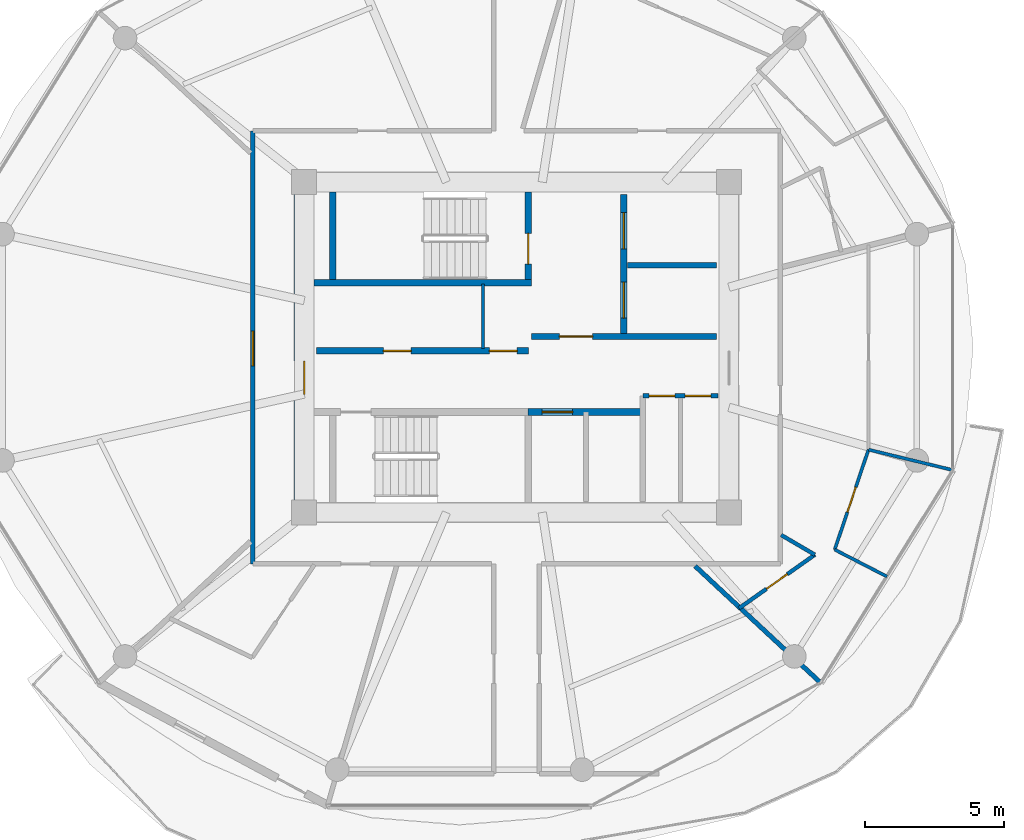
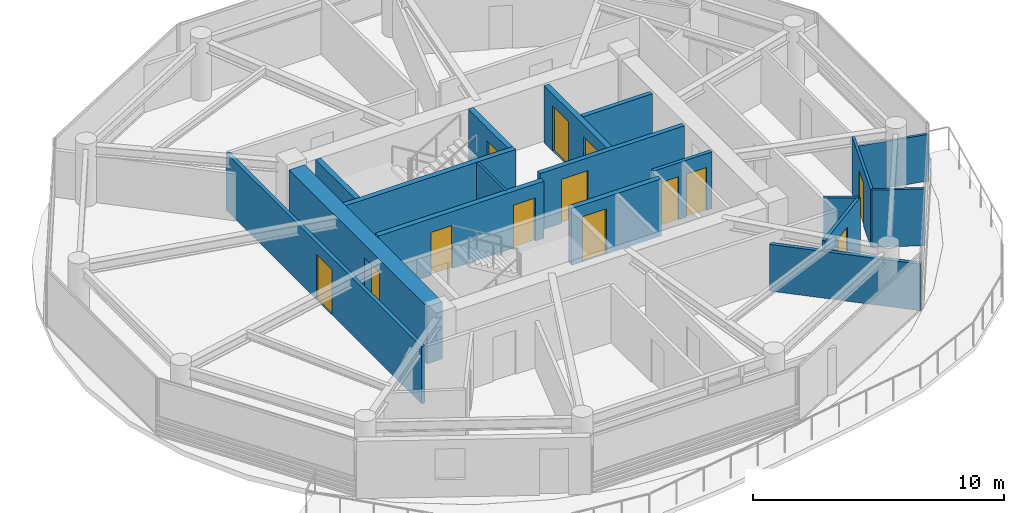
# One storey, part 16 of 22: 18 walls, 13 doors, 13 openings.
"""IFC4 building model written with IfcOpenShell, lengths in metres."""

from ifc_helpers import new_model, si_unit, direction, frame, frame_2d, origin, place, context, subcontext, project, spatial, rectangle, extrude, source, transform, mapped, material, layer, layer_set, type_object, type_shapes, element, fill, save


model = new_model("IFC4")

# Units and contexts
model_context = context("Model", 3, precision=1e-05, world=origin(), true_north=direction((0.0, 1.0)))
body_context = subcontext(model_context, "Body", "Model", "MODEL_VIEW")
ifc_project = project(units=[si_unit("LENGTHUNIT", "METRE"), si_unit("AREAUNIT", "SQUARE_METRE"), si_unit("VOLUMEUNIT", "CUBIC_METRE"), si_unit("PLANEANGLEUNIT", "RADIAN"), si_unit("MASSUNIT", "GRAM", prefix="KILO")], contexts=[model_context])

# Site, building, storey
site_placement = place(None, origin())
site = spatial("IfcSite", under=ifc_project, at=site_placement, CompositionType="ELEMENT")
building_placement = place(site_placement, origin())
building = spatial("IfcBuilding", under=site, at=building_placement, Name="Norrkilde Senior Care Towers", CompositionType="ELEMENT")
storey_placement = place(building_placement, frame((0.0, 0.0, 87.10009765625)))
storey = spatial("IfcBuildingStorey", under=building, at=storey_placement, Name="L26", CompositionType="ELEMENT", Elevation=87.10009765625)

# Wall, opening, door
ifc_material_1 = material(Name="Concrete C60/75", Category="concrete")
ifc_layer_1 = layer(ifc_material_1, 0.719970703125)
ifc_layer_set_1 = layer_set([ifc_layer_1], Name="Concrete C60/75")
wall_type_1 = type_object("IfcWallType", Name="Core Shear Wall Z2 720", PredefinedType="SHEAR", material=ifc_layer_set_1)
shared_shape_1 = source(origin(), body_context, "Body", "SweptSolid", [
    extrude(rectangle(XDim=11.0, YDim=0.719970703125, at=frame_2d((5.5, 0.0))), origin(), (0.0, 0.0, 1.0), 2.789794921875),
])
type_shapes(wall_type_1, [shared_shape_1])
wall_1_placement = place(storey_placement, frame((20.35009765625, -5.5, 0.0), z_axis=(0.0, 0.0, 1.0), x_axis=(0.0, 1.0, 0.0)))
wall_1 = element("IfcWall", 1, at=wall_1_placement, inside=storey, type_object=wall_type_1, Name="L26 Core E West Shear Wall", PredefinedType="SHEAR", context=body_context, shape_type="MappedRepresentation", body=[
    mapped(shared_shape_1, transform((0.0, 0.0, 0.0), x_axis=(1.0, 0.0, 0.0), y_axis=(0.0, 1.0, 0.0), z_axis=(0.0, 0.0, 1.0), scale=1.0)),
])
opening_1_placement = place(wall_1_placement, frame((3.800048828125, 0.0, 0.0)))
opening_1 = element("IfcOpeningElement", 2, at=opening_1_placement, cuts=wall_1, Name="Opening D-04", PredefinedType="OPENING", context=body_context, shape_type="SweptSolid", body=[
    extrude(rectangle(XDim=1.199951171875, YDim=2.14990234375, at=frame_2d((0.60009765625, 1.074951171875))), frame((0.0, 0.369873046875, 0.0), z_axis=(0.0, -1.0, 0.0), x_axis=(1.0, 0.0, 0.0)), (0.0, 0.0, 1.0), 0.739990234375),
])
ifc_material_2 = material(Name="Galvanised Painted Steel", Category="steel")
door_type_1 = type_object("IfcDoorType", Name="Firefighting Lobby Fire Door 1200x2150", OperationType="NOTDEFINED", PredefinedType="DOOR", material=ifc_material_2)
shared_shape_2 = source(origin(), body_context, "Body", "SweptSolid", [
    extrude(rectangle(XDim=1.199951171875, YDim=2.14990234375, at=frame_2d((0.60009765625, 1.074951171875))), frame((0.0, 0.02490234375, 0.0), z_axis=(0.0, -1.0, 0.0), x_axis=(1.0, 0.0, 0.0)), (0.0, 0.0, 1.0), 0.050048828125),
])
type_shapes(door_type_1, [shared_shape_2])
door_1_placement = place(opening_1_placement, frame((1.199951171875, 0.0, 0.0), z_axis=(0.0, 0.0, 1.0), x_axis=(-1.0, 0.0, 0.0)))
door_1 = element("IfcDoor", 3, at=door_1_placement, inside=storey, type_object=door_type_1, Name="L26 Core E West Portal Door", OperationType="SINGLE_SWING_LEFT", OverallHeight=2.14990234375, OverallWidth=1.199951171875, PredefinedType="DOOR", context=body_context, shape_type="MappedRepresentation", body=[
    mapped(shared_shape_2, transform((0.0, 0.0, 0.0), x_axis=(1.0, 0.0, 0.0), y_axis=(0.0, 1.0, 0.0), z_axis=(0.0, 0.0, 1.0), scale=1.0)),
])
fill(opening_1, door_1)

# Wall, openings, doors
ifc_material_3 = material(Name="Concrete C45/55", Category="concrete")
ifc_layer_2 = layer(ifc_material_3, 0.239990234375)
ifc_layer_set_2 = layer_set([ifc_layer_2], Name="Concrete C45/55")
wall_type_2 = type_object("IfcWallType", Name="Lift and Plant Rated Enclosure Partition 240", PredefinedType="PARTITIONING", material=ifc_layer_set_2)
shared_shape_3 = source(origin(), body_context, "Body", "SweptSolid", [
    extrude(rectangle(XDim=5.0, YDim=0.239990234375, at=frame_2d((2.5, 0.0))), origin(), (0.0, 0.0, 1.0), 2.77490234375),
])
wall_2_placement = place(storey_placement, frame((31.860107421875, 0.5, 0.0), z_axis=(0.0, 0.0, 1.0), x_axis=(0.0, 1.0, 0.0)))
wall_2 = element("IfcWall", 4, at=wall_2_placement, inside=storey, type_object=wall_type_2, Name="WL-INT-L26-E-FFLE", PredefinedType="PARTITIONING", context=body_context, shape_type="MappedRepresentation", body=[
    mapped(shared_shape_3, transform((0.0, 0.0, 0.0), x_axis=(1.0, 0.0, 0.0), y_axis=(0.0, 1.0, 0.0), z_axis=(0.0, 0.0, 1.0), scale=1.0)),
])
opening_2_placement = place(wall_2_placement, frame((3.050048828125, 0.0, 0.0)))
opening_2 = element("IfcOpeningElement", 5, at=opening_2_placement, cuts=wall_2, Name="Opening LD-02", PredefinedType="OPENING", context=body_context, shape_type="SweptSolid", body=[
    extrude(rectangle(XDim=1.300048828125, YDim=2.199951171875, at=frame_2d((0.64990234375, 1.10009765625))), frame((0.0, 0.1298828125, 0.0), z_axis=(0.0, -1.0, 0.0), x_axis=(1.0, 0.0, 0.0)), (0.0, 0.0, 1.0), 0.260009765625),
])
opening_3_placement = place(wall_2_placement, frame((0.550048828125, 0.0, 0.0)))
opening_3 = element("IfcOpeningElement", 6, at=opening_3_placement, cuts=wall_2, Name="Opening LD-02", PredefinedType="OPENING", context=body_context, shape_type="SweptSolid", body=[
    extrude(rectangle(XDim=1.300048828125, YDim=2.199951171875, at=frame_2d((0.64990234375, 1.10009765625))), frame((0.0, 0.1298828125, 0.0), z_axis=(0.0, -1.0, 0.0), x_axis=(1.0, 0.0, 0.0)), (0.0, 0.0, 1.0), 0.260009765625),
])
ifc_material_4 = material(Name="Stainless Steel", Category="steel")
door_type_2 = type_object("IfcDoorType", Name="Stretcher and FFL Landing Sliding Door 1300x2200", OperationType="NOTDEFINED", PredefinedType="DOOR", material=ifc_material_4)
shared_shape_4 = source(origin(), body_context, "Body", "SweptSolid", [
    extrude(rectangle(XDim=1.300048828125, YDim=2.199951171875, at=frame_2d((0.64990234375, 1.10009765625))), frame((0.0, 0.02490234375, 0.0), z_axis=(0.0, -1.0, 0.0), x_axis=(1.0, 0.0, 0.0)), (0.0, 0.0, 1.0), 0.050048828125),
])
type_shapes(door_type_2, [shared_shape_4])
door_2_placement = place(opening_2_placement, origin())
door_2 = element("IfcDoor", 7, at=door_2_placement, inside=storey, type_object=door_type_2, Name="L26 Firefighting Lift E1 Landing Door", OperationType="SLIDING_TO_LEFT", OverallHeight=2.199951171875, OverallWidth=1.300048828125, PredefinedType="DOOR", context=body_context, shape_type="MappedRepresentation", body=[
    mapped(shared_shape_4, transform((0.0, 0.0, 0.0), x_axis=(1.0, 0.0, 0.0), y_axis=(0.0, 1.0, 0.0), z_axis=(0.0, 0.0, 1.0), scale=1.0)),
])
fill(opening_2, door_2)
door_3_placement = place(opening_3_placement, origin())
door_3 = element("IfcDoor", 8, at=door_3_placement, inside=storey, type_object=door_type_2, Name="L26 Stretcher Lift E1 Landing Door", OperationType="SLIDING_TO_RIGHT", OverallHeight=2.199951171875, OverallWidth=1.300048828125, PredefinedType="DOOR", context=body_context, shape_type="MappedRepresentation", body=[
    mapped(shared_shape_4, transform((0.0, 0.0, 0.0), x_axis=(1.0, 0.0, 0.0), y_axis=(0.0, 1.0, 0.0), z_axis=(0.0, 0.0, 1.0), scale=1.0)),
])
fill(opening_3, door_3)

# Wall
ifc_layer_3 = layer(ifc_material_3, 0.199951171875)
ifc_layer_set_3 = layer_set([ifc_layer_3], Name="Concrete C45/55")
wall_type_3 = type_object("IfcWallType", Name="Shaft Division and Plant Partition 200", PredefinedType="PARTITIONING", material=ifc_layer_set_3)
shared_shape_5 = source(origin(), body_context, "Body", "SweptSolid", [
    extrude(rectangle(XDim=3.199951171875, YDim=0.199951171875, at=frame_2d((1.60009765625, 0.0))), origin(), (0.0, 0.0, 1.0), 2.77490234375),
])
type_shapes(wall_type_3, [shared_shape_5])
wall_3_placement = place(storey_placement, frame((32.0, 2.949951171875, 0.0), z_axis=(0.0, 0.0, 1.0), x_axis=(1.0, 0.0, 0.0)))
element("IfcWall", 9, at=wall_3_placement, inside=storey, type_object=wall_type_3, Name="WL-INT-L26-E-FFLDIV", PredefinedType="PARTITIONING", context=body_context, shape_type="MappedRepresentation", body=[
    mapped(shared_shape_5, transform((0.0, 0.0, 0.0), x_axis=(1.0, 0.0, 0.0), y_axis=(0.0, 1.0, 0.0), z_axis=(0.0, 0.0, 1.0), scale=1.0)),
])

# Wall, opening, door
ifc_layer_4 = layer(ifc_material_3, 0.2099609375)
ifc_layer_set_4 = layer_set([ifc_layer_4], Name="Concrete C45/55")
wall_type_4 = type_object("IfcWallType", Name="Firefighting Lobby Wall 210", PredefinedType="PARTITIONING", material=ifc_layer_set_4)
shared_shape_6 = source(origin(), body_context, "Body", "SweptSolid", [
    extrude(rectangle(XDim=6.659912109375, YDim=0.2099609375, at=frame_2d((3.330078125, 0.0))), origin(), (0.0, 0.0, 1.0), 2.77490234375),
])
type_shapes(wall_type_4, [shared_shape_6])
wall_4_placement = place(storey_placement, frame((28.5400390625, 0.389892578125, 0.0), z_axis=(0.0, 0.0, 1.0), x_axis=(1.0, 0.0, 0.0)))
wall_4 = element("IfcWall", 10, at=wall_4_placement, inside=storey, type_object=wall_type_4, Name="WL-INT-L26-E-FFLS", PredefinedType="PARTITIONING", context=body_context, shape_type="MappedRepresentation", body=[
    mapped(shared_shape_6, transform((0.0, 0.0, 0.0), x_axis=(1.0, 0.0, 0.0), y_axis=(0.0, 1.0, 0.0), z_axis=(0.0, 0.0, 1.0), scale=1.0)),
])
opening_4_placement = place(wall_4_placement, frame((1.0, 0.0, 0.0)))
opening_4 = element("IfcOpeningElement", 11, at=opening_4_placement, cuts=wall_4, Name="Opening D-04", PredefinedType="OPENING", context=body_context, shape_type="SweptSolid", body=[
    extrude(rectangle(XDim=1.199951171875, YDim=2.14990234375, at=frame_2d((0.60009765625, 1.074951171875))), frame((0.0, 0.114990234375, 0.0), z_axis=(0.0, -1.0, 0.0), x_axis=(1.0, 0.0, 0.0)), (0.0, 0.0, 1.0), 0.22998046875),
])
door_4_placement = place(opening_4_placement, frame((1.199951171875, 0.0, 0.0), z_axis=(0.0, 0.0, 1.0), x_axis=(-1.0, 0.0, 0.0)))
door_4 = element("IfcDoor", 12, at=door_4_placement, inside=storey, type_object=door_type_1, Name="L26 Firefighting Lobby E Door", OperationType="SINGLE_SWING_LEFT", OverallHeight=2.14990234375, OverallWidth=1.199951171875, PredefinedType="DOOR", context=body_context, shape_type="MappedRepresentation", body=[
    mapped(shared_shape_2, transform((0.0, 0.0, 0.0), x_axis=(1.0, 0.0, 0.0), y_axis=(0.0, 1.0, 0.0), z_axis=(0.0, 0.0, 1.0), scale=1.0)),
])
fill(opening_4, door_4)

# Wall, openings, doors
shared_shape_7 = source(origin(), body_context, "Body", "SweptSolid", [
    extrude(rectangle(XDim=7.619873046875, YDim=0.239990234375, at=frame_2d((3.81005859375, 0.0))), origin(), (0.0, 0.0, 1.0), 2.77490234375),
])
wall_5_placement = place(storey_placement, frame((20.800048828125, -0.1298828125, 0.0), z_axis=(0.0, 0.0, 1.0), x_axis=(1.0, 0.0, 0.0)))
wall_5 = element("IfcWall", 13, at=wall_5_placement, inside=storey, type_object=wall_type_2, Name="WL-INT-L26-E-PKAS", PredefinedType="PARTITIONING", context=body_context, shape_type="MappedRepresentation", body=[
    mapped(shared_shape_7, transform((0.0, 0.0, 0.0), x_axis=(1.0, 0.0, 0.0), y_axis=(0.0, 1.0, 0.0), z_axis=(0.0, 0.0, 1.0), scale=1.0)),
])
opening_5_placement = place(wall_5_placement, frame((6.219970703125, 0.0, 0.0)))
opening_5 = element("IfcOpeningElement", 14, at=opening_5_placement, cuts=wall_5, Name="Opening D-10", PredefinedType="OPENING", context=body_context, shape_type="SweptSolid", body=[
    extrude(rectangle(XDim=1.0, YDim=2.10009765625, at=frame_2d((0.5, 1.050048828125))), frame((0.0, 0.1298828125, 0.0), z_axis=(0.0, -1.0, 0.0), x_axis=(1.0, 0.0, 0.0)), (0.0, 0.0, 1.0), 0.260009765625),
])
opening_6_placement = place(wall_5_placement, frame((2.39990234375, 0.0, 0.0)))
opening_6 = element("IfcOpeningElement", 15, at=opening_6_placement, cuts=wall_5, Name="Opening D-10", PredefinedType="OPENING", context=body_context, shape_type="SweptSolid", body=[
    extrude(rectangle(XDim=1.0, YDim=2.10009765625, at=frame_2d((0.5, 1.050048828125))), frame((0.0, 0.1298828125, 0.0), z_axis=(0.0, -1.0, 0.0), x_axis=(1.0, 0.0, 0.0)), (0.0, 0.0, 1.0), 0.260009765625),
])
door_type_3 = type_object("IfcDoorType", Name="Plant and Riser Rated Door 1000x2100", OperationType="NOTDEFINED", PredefinedType="DOOR", material=ifc_material_2)
shared_shape_8 = source(origin(), body_context, "Body", "SweptSolid", [
    extrude(rectangle(XDim=1.0, YDim=2.10009765625, at=frame_2d((0.5, 1.050048828125))), frame((0.0, 0.02490234375, 0.0), z_axis=(0.0, -1.0, 0.0), x_axis=(1.0, 0.0, 0.0)), (0.0, 0.0, 1.0), 0.050048828125),
])
type_shapes(door_type_3, [shared_shape_8])
door_5_placement = place(opening_5_placement, frame((1.0, 0.0, 0.0), z_axis=(0.0, 0.0, 1.0), x_axis=(-1.0, 0.0, 0.0)))
door_5 = element("IfcDoor", 16, at=door_5_placement, inside=storey, type_object=door_type_3, Name="L26 Electrical Riser E Door", OperationType="SINGLE_SWING_LEFT", OverallHeight=2.10009765625, OverallWidth=1.0, PredefinedType="DOOR", context=body_context, shape_type="MappedRepresentation", body=[
    mapped(shared_shape_8, transform((0.0, 0.0, 0.0), x_axis=(1.0, 0.0, 0.0), y_axis=(0.0, 1.0, 0.0), z_axis=(0.0, 0.0, 1.0), scale=1.0)),
])
fill(opening_5, door_5)
door_6_placement = place(opening_6_placement, frame((1.0, 0.0, 0.0), z_axis=(0.0, 0.0, 1.0), x_axis=(-1.0, 0.0, 0.0)))
door_6 = element("IfcDoor", 17, at=door_6_placement, inside=storey, type_object=door_type_3, Name="L26 Clean Supply Store E Door", OperationType="SINGLE_SWING_LEFT", OverallHeight=2.10009765625, OverallWidth=1.0, PredefinedType="DOOR", context=body_context, shape_type="MappedRepresentation", body=[
    mapped(shared_shape_8, transform((0.0, 0.0, 0.0), x_axis=(1.0, 0.0, 0.0), y_axis=(0.0, 1.0, 0.0), z_axis=(0.0, 0.0, 1.0), scale=1.0)),
])
fill(opening_6, door_6)

# Wall
ifc_material_5 = material(Name="Gypsum Acoustic Board")
ifc_layer_5 = layer(ifc_material_5, 0.114990234375)
ifc_layer_set_5 = layer_set([ifc_layer_5], Name="Gypsum Acoustic Board")
wall_type_5 = type_object("IfcWallType", Name="Internal Room Partition 115", PredefinedType="PARTITIONING", material=ifc_layer_set_5)
shared_shape_9 = source(origin(), body_context, "Body", "SweptSolid", [
    extrude(rectangle(XDim=2.330078125, YDim=0.114990234375, at=frame_2d((1.1650390625, 0.0))), origin(), (0.0, 0.0, 1.0), 2.77490234375),
])
wall_6_placement = place(storey_placement, frame((26.7900390625, -0.050048828125, 0.0), z_axis=(0.0, 0.0, 1.0), x_axis=(0.0, 1.0, 0.0)))
element("IfcWall", 18, at=wall_6_placement, inside=storey, type_object=wall_type_5, Name="WL-INT-L26-E-RISW", PredefinedType="PARTITIONING", context=body_context, shape_type="MappedRepresentation", body=[
    mapped(shared_shape_9, transform((0.0, 0.0, 0.0), x_axis=(1.0, 0.0, 0.0), y_axis=(0.0, 1.0, 0.0), z_axis=(0.0, 0.0, 1.0), scale=1.0)),
])

# Wall, opening, door
shared_shape_10 = source(origin(), body_context, "Body", "SweptSolid", [
    extrude(rectangle(XDim=4.130126953125, YDim=0.239990234375, at=frame_2d((2.06494140625, 0.0))), origin(), (0.0, 0.0, 1.0), 2.77490234375),
])
type_shapes(wall_type_2, [shared_shape_3, shared_shape_7, shared_shape_10])
wall_7_placement = place(storey_placement, frame((28.419921875, -2.330078125, 0.0), z_axis=(0.0, 0.0, 1.0), x_axis=(1.0, 0.0, 0.0)))
wall_7 = element("IfcWall", 19, at=wall_7_placement, inside=storey, type_object=wall_type_2, Name="WL-INT-L26-E-PKBN", PredefinedType="PARTITIONING", context=body_context, shape_type="MappedRepresentation", body=[
    mapped(shared_shape_10, transform((0.0, 0.0, 0.0), x_axis=(1.0, 0.0, 0.0), y_axis=(0.0, 1.0, 0.0), z_axis=(0.0, 0.0, 1.0), scale=1.0)),
])
opening_7_placement = place(wall_7_placement, frame((0.5, 0.0, 0.0)))
opening_7 = element("IfcOpeningElement", 20, at=opening_7_placement, cuts=wall_7, Name="Opening LD-01", PredefinedType="OPENING", context=body_context, shape_type="SweptSolid", body=[
    extrude(rectangle(XDim=1.10009765625, YDim=2.199951171875, at=frame_2d((0.550048828125, 1.10009765625))), frame((0.0, 0.1298828125, 0.0), z_axis=(0.0, -1.0, 0.0), x_axis=(1.0, 0.0, 0.0)), (0.0, 0.0, 1.0), 0.260009765625),
])
door_type_4 = type_object("IfcDoorType", Name="Lift Landing Sliding Door 1100x2200", OperationType="NOTDEFINED", PredefinedType="DOOR", material=ifc_material_4)
shared_shape_11 = source(origin(), body_context, "Body", "SweptSolid", [
    extrude(rectangle(XDim=1.10009765625, YDim=2.199951171875, at=frame_2d((0.550048828125, 1.10009765625))), frame((0.0, 0.02490234375, 0.0), z_axis=(0.0, -1.0, 0.0), x_axis=(1.0, 0.0, 0.0)), (0.0, 0.0, 1.0), 0.050048828125),
])
type_shapes(door_type_4, [shared_shape_11])
door_7_placement = place(opening_7_placement, frame((1.10009765625, 0.0, 0.0), z_axis=(0.0, 0.0, 1.0), x_axis=(-1.0, 0.0, 0.0)))
door_7 = element("IfcDoor", 21, at=door_7_placement, inside=storey, type_object=door_type_4, Name="L26 Passenger Lift E3 Landing Door", OperationType="SLIDING_TO_LEFT", OverallHeight=2.199951171875, OverallWidth=1.10009765625, PredefinedType="DOOR", context=body_context, shape_type="MappedRepresentation", body=[
    mapped(shared_shape_11, transform((0.0, 0.0, 0.0), x_axis=(1.0, 0.0, 0.0), y_axis=(0.0, 1.0, 0.0), z_axis=(0.0, 0.0, 1.0), scale=1.0)),
])
fill(opening_7, door_7)

# Wall, openings, doors
ifc_layer_6 = layer(ifc_material_5, 0.1650390625)
ifc_layer_set_6 = layer_set([ifc_layer_6], Name="Gypsum Acoustic Board")
wall_type_6 = type_object("IfcWallType", Name="Corridor Rated Partition 165", PredefinedType="PARTITIONING", material=ifc_layer_set_6)
shared_shape_12 = source(origin(), body_context, "Body", "SweptSolid", [
    extrude(rectangle(XDim=2.699951171875, YDim=0.1650390625, at=frame_2d((1.35009765625, 0.0))), origin(), (0.0, 0.0, 1.0), 2.77490234375),
])
wall_8_placement = place(storey_placement, frame((32.550048828125, -1.75, 0.0), z_axis=(0.0, 0.0, 1.0), x_axis=(1.0, 0.0, 0.0)))
wall_8 = element("IfcWall", 22, at=wall_8_placement, inside=storey, type_object=wall_type_6, Name="WL-INT-L26-E-CSN", PredefinedType="PARTITIONING", context=body_context, shape_type="MappedRepresentation", body=[
    mapped(shared_shape_12, transform((0.0, 0.0, 0.0), x_axis=(1.0, 0.0, 0.0), y_axis=(0.0, 1.0, 0.0), z_axis=(0.0, 0.0, 1.0), scale=1.0)),
])
opening_8_placement = place(wall_8_placement, frame((0.222412109375, 0.0, 0.0)))
opening_8 = element("IfcOpeningElement", 23, at=opening_8_placement, cuts=wall_8, Name="Opening D-12", PredefinedType="OPENING", context=body_context, shape_type="SweptSolid", body=[
    extrude(rectangle(XDim=0.925048828125, YDim=2.10009765625, at=frame_2d((0.46240234375, 1.050048828125))), frame((0.0, 0.092529296875, 0.0), z_axis=(0.0, -1.0, 0.0), x_axis=(1.0, 0.0, 0.0)), (0.0, 0.0, 1.0), 0.18505859375),
])
opening_9_placement = place(wall_8_placement, frame((1.5224609375, 0.0, 0.0)))
opening_9 = element("IfcOpeningElement", 24, at=opening_9_placement, cuts=wall_8, Name="Opening D-12", PredefinedType="OPENING", context=body_context, shape_type="SweptSolid", body=[
    extrude(rectangle(XDim=0.925048828125, YDim=2.10009765625, at=frame_2d((0.46240234375, 1.050048828125))), frame((0.0, 0.092529296875, 0.0), z_axis=(0.0, -1.0, 0.0), x_axis=(1.0, 0.0, 0.0)), (0.0, 0.0, 1.0), 0.18505859375),
])
door_type_5 = type_object("IfcDoorType", Name="Core Wet Room Rated Door 925x2100", OperationType="NOTDEFINED", PredefinedType="DOOR", material=ifc_material_2)
shared_shape_13 = source(origin(), body_context, "Body", "SweptSolid", [
    extrude(rectangle(XDim=0.925048828125, YDim=2.10009765625, at=frame_2d((0.46240234375, 1.050048828125))), frame((0.0, 0.02490234375, 0.0), z_axis=(0.0, -1.0, 0.0), x_axis=(1.0, 0.0, 0.0)), (0.0, 0.0, 1.0), 0.050048828125),
])
type_shapes(door_type_5, [shared_shape_13])
door_8_placement = place(opening_8_placement, origin())
door_8 = element("IfcDoor", 25, at=door_8_placement, inside=storey, type_object=door_type_5, Name="L26 Staff Accessible WC E Door", OperationType="SINGLE_SWING_LEFT", OverallHeight=2.10009765625, OverallWidth=0.925048828125, PredefinedType="DOOR", context=body_context, shape_type="MappedRepresentation", body=[
    mapped(shared_shape_13, transform((0.0, 0.0, 0.0), x_axis=(1.0, 0.0, 0.0), y_axis=(0.0, 1.0, 0.0), z_axis=(0.0, 0.0, 1.0), scale=1.0)),
])
fill(opening_8, door_8)
door_9_placement = place(opening_9_placement, origin())
door_9 = element("IfcDoor", 26, at=door_9_placement, inside=storey, type_object=door_type_5, Name="L26 Housekeeping Store E Door", OperationType="SINGLE_SWING_RIGHT", OverallHeight=2.10009765625, OverallWidth=0.925048828125, PredefinedType="DOOR", context=body_context, shape_type="MappedRepresentation", body=[
    mapped(shared_shape_13, transform((0.0, 0.0, 0.0), x_axis=(1.0, 0.0, 0.0), y_axis=(0.0, 1.0, 0.0), z_axis=(0.0, 0.0, 1.0), scale=1.0)),
])
fill(opening_9, door_9)

# Wall, opening, door
shared_shape_14 = source(origin(), body_context, "Body", "SweptSolid", [
    extrude(rectangle(XDim=15.60009765625, YDim=0.1650390625, at=frame_2d((7.800048828125, 0.0))), origin(), (0.0, 0.0, 1.0), 2.77490234375),
])
wall_9_placement = place(storey_placement, frame((18.5, -7.800048828125, 0.0), z_axis=(0.0, 0.0, 1.0), x_axis=(0.0, 1.0, 0.0)))
wall_9 = element("IfcWall", 27, at=wall_9_placement, inside=storey, type_object=wall_type_6, Name="WL-INT-L26-E-CRW-W-0", PredefinedType="PARTITIONING", context=body_context, shape_type="MappedRepresentation", body=[
    mapped(shared_shape_14, transform((0.0, 0.0, 0.0), x_axis=(1.0, 0.0, 0.0), y_axis=(0.0, 1.0, 0.0), z_axis=(0.0, 0.0, 1.0), scale=1.0)),
])
opening_10_placement = place(wall_9_placement, frame((7.1337890625, 0.0, 0.0)))
opening_10 = element("IfcOpeningElement", 28, at=opening_10_placement, cuts=wall_9, Name="Opening D-05", PredefinedType="OPENING", context=body_context, shape_type="SweptSolid", body=[
    extrude(rectangle(XDim=1.25, YDim=2.199951171875, at=frame_2d((0.625, 1.10009765625))), frame((0.0, 0.092529296875, 0.0), z_axis=(0.0, -1.0, 0.0), x_axis=(1.0, 0.0, 0.0)), (0.0, 0.0, 1.0), 0.18505859375),
])
ifc_material_6 = material(Name="Nordic Ash Timber", Category="wood")
door_type_6 = type_object("IfcDoorType", Name="Care Bedroom Bariatric Door 1250x2200", OperationType="NOTDEFINED", PredefinedType="DOOR", material=ifc_material_6)
shared_shape_15 = source(origin(), body_context, "Body", "SweptSolid", [
    extrude(rectangle(XDim=1.25, YDim=2.199951171875, at=frame_2d((0.625, 1.10009765625))), frame((0.0, 0.02490234375, 0.0), z_axis=(0.0, -1.0, 0.0), x_axis=(1.0, 0.0, 0.0)), (0.0, 0.0, 1.0), 0.050048828125),
])
type_shapes(door_type_6, [shared_shape_15])
door_10_placement = place(opening_10_placement, frame((1.25, 0.0, 0.0), z_axis=(0.0, 0.0, 1.0), x_axis=(-1.0, 0.0, 0.0)))
door_10 = element("IfcDoor", 29, at=door_10_placement, inside=storey, type_object=door_type_6, Name="L26 Senior Wellness Library Lounge Door", OperationType="SINGLE_SWING_LEFT", OverallHeight=2.199951171875, OverallWidth=1.25, PredefinedType="DOOR", context=body_context, shape_type="MappedRepresentation", body=[
    mapped(shared_shape_15, transform((0.0, 0.0, 0.0), x_axis=(1.0, 0.0, 0.0), y_axis=(0.0, 1.0, 0.0), z_axis=(0.0, 0.0, 1.0), scale=1.0)),
])
fill(opening_10, door_10)

# Walls
shared_shape_16 = source(origin(), body_context, "Body", "SweptSolid", [
    extrude(rectangle(XDim=6.186767578125, YDim=0.1650390625, at=frame_2d((3.09326171875, 0.0))), origin(), (0.0, 0.0, 1.0), 2.27490234375),
])
type_shapes(wall_type_6, [shared_shape_12, shared_shape_14, shared_shape_16])
wall_10_placement = place(storey_placement, frame((34.428955078125, -7.8798828125, 0.0), z_axis=(0.0, 0.0, 1.0), x_axis=(0.732501077882, -0.680765870841, 0.0)))
element("IfcWall", 30, at=wall_10_placement, inside=storey, type_object=wall_type_6, Name="WL-INT-L26-E-DEM-10-0", PredefinedType="PARTITIONING", context=body_context, shape_type="MappedRepresentation", body=[
    mapped(shared_shape_16, transform((0.0, 0.0, 0.0), x_axis=(1.0, 0.0, 0.0), y_axis=(0.0, 1.0, 0.0), z_axis=(0.0, 0.0, 1.0), scale=1.0)),
])
ifc_layer_7 = layer(ifc_material_5, 0.139892578125)
ifc_layer_set_7 = layer_set([ifc_layer_7], Name="Gypsum Acoustic Board")
wall_type_7 = type_object("IfcWallType", Name="En-suite Wet Room Wall 140", PredefinedType="PARTITIONING", material=ifc_layer_set_7)
shared_shape_17 = source(origin(), body_context, "Body", "SweptSolid", [
    extrude(rectangle(XDim=1.407470703125, YDim=0.139892578125, at=frame_2d((0.70361328125, 0.0))), origin(), (0.0, 0.0, 1.0), 2.77490234375),
])
wall_11_placement = place(storey_placement, frame((37.530029296875, -6.761962890625, 0.0), z_axis=(0.0, 0.0, 1.0), x_axis=(0.863539718977, -0.504280828258, 0.0)))
element("IfcWall", 31, at=wall_11_placement, inside=storey, type_object=wall_type_7, Name="WL-INT-L26-E-UBTS-10", PredefinedType="PARTITIONING", context=body_context, shape_type="MappedRepresentation", body=[
    mapped(shared_shape_17, transform((0.0, 0.0, 0.0), x_axis=(1.0, 0.0, 0.0), y_axis=(0.0, 1.0, 0.0), z_axis=(0.0, 0.0, 1.0), scale=1.0)),
])

# Wall, opening, door
shared_shape_18 = source(origin(), body_context, "Body", "SweptSolid", [
    extrude(rectangle(XDim=3.346923828125, YDim=0.139892578125, at=frame_2d((1.67333984375, 0.0))), origin(), (0.0, 0.0, 1.0), 2.77490234375),
])
type_shapes(wall_type_7, [shared_shape_17, shared_shape_18])
wall_12_placement = place(storey_placement, frame((38.745361328125, -7.4716796875, 0.0), z_axis=(0.0, 0.0, 1.0), x_axis=(-0.81705680263, -0.576557179537, 0.0)))
wall_12 = element("IfcWall", 32, at=wall_12_placement, inside=storey, type_object=wall_type_7, Name="WL-INT-L26-E-UBTF-10", PredefinedType="PARTITIONING", context=body_context, shape_type="MappedRepresentation", body=[
    mapped(shared_shape_18, transform((0.0, 0.0, 0.0), x_axis=(1.0, 0.0, 0.0), y_axis=(0.0, 1.0, 0.0), z_axis=(0.0, 0.0, 1.0), scale=1.0)),
])
opening_11_placement = place(wall_12_placement, frame((1.213623046875, 0.0, 0.0)))
opening_11 = element("IfcOpeningElement", 33, at=opening_11_placement, cuts=wall_12, Name="Opening D-08", PredefinedType="OPENING", context=body_context, shape_type="SweptSolid", body=[
    extrude(rectangle(XDim=0.919921875, YDim=2.10009765625, at=frame_2d((0.4599609375, 1.050048828125))), frame((0.0, 0.079833984375, 0.0), z_axis=(0.0, -1.0, 0.0), x_axis=(1.0, 0.0, 0.0)), (0.0, 0.0, 1.0), 0.159912109375),
])
door_type_7 = type_object("IfcDoorType", Name="Accessible Wet Room Door 920x2100", OperationType="NOTDEFINED", PredefinedType="DOOR", material=ifc_material_6)
shared_shape_19 = source(origin(), body_context, "Body", "SweptSolid", [
    extrude(rectangle(XDim=0.919921875, YDim=2.10009765625, at=frame_2d((0.4599609375, 1.050048828125))), frame((0.0, 0.02490234375, 0.0), z_axis=(0.0, -1.0, 0.0), x_axis=(1.0, 0.0, 0.0)), (0.0, 0.0, 1.0), 0.050048828125),
])
type_shapes(door_type_7, [shared_shape_19])
door_11_placement = place(opening_11_placement, origin())
door_11 = element("IfcDoor", 34, at=door_11_placement, inside=storey, type_object=door_type_7, Name="Apartment 26C Bathroom Door", OperationType="SINGLE_SWING_RIGHT", OverallHeight=2.10009765625, OverallWidth=0.919921875, PredefinedType="DOOR", context=body_context, shape_type="MappedRepresentation", body=[
    mapped(shared_shape_19, transform((0.0, 0.0, 0.0), x_axis=(1.0, 0.0, 0.0), y_axis=(0.0, 1.0, 0.0), z_axis=(0.0, 0.0, 1.0), scale=1.0)),
])
fill(opening_11, door_11)

# Walls
shared_shape_20 = source(origin(), body_context, "Body", "SweptSolid", [
    extrude(rectangle(XDim=3.13330078125, YDim=0.114990234375, at=frame_2d((1.566650390625, 0.0))), origin(), (0.0, 0.0, 1.0), 2.27490234375),
])
wall_13_placement = place(storey_placement, frame((40.677978515625, -3.687744140625, 0.0), z_axis=(0.0, 0.0, 1.0), x_axis=(0.971863619682, -0.235544273414, 0.0)))
element("IfcWall", 35, at=wall_13_placement, inside=storey, type_object=wall_type_5, Name="WL-INT-L26-E-UBR-10-1", PredefinedType="PARTITIONING", context=body_context, shape_type="MappedRepresentation", body=[
    mapped(shared_shape_20, transform((0.0, 0.0, 0.0), x_axis=(1.0, 0.0, 0.0), y_axis=(0.0, 1.0, 0.0), z_axis=(0.0, 0.0, 1.0), scale=1.0)),
])
shared_shape_21 = source(origin(), body_context, "Body", "SweptSolid", [
    extrude(rectangle(XDim=2.1171875, YDim=0.114990234375, at=frame_2d((1.05859375, 0.0))), origin(), (0.0, 0.0, 1.0), 2.77490234375),
])
wall_14_placement = place(storey_placement, frame((39.459716796875, -7.288818359375, 0.0), z_axis=(0.0, 0.0, 1.0), x_axis=(0.888941834945, -0.45802010227, 0.0)))
element("IfcWall", 36, at=wall_14_placement, inside=storey, type_object=wall_type_5, Name="WL-INT-L26-E-UKTS-10", PredefinedType="PARTITIONING", context=body_context, shape_type="MappedRepresentation", body=[
    mapped(shared_shape_21, transform((0.0, 0.0, 0.0), x_axis=(1.0, 0.0, 0.0), y_axis=(0.0, 1.0, 0.0), z_axis=(0.0, 0.0, 1.0), scale=1.0)),
])

# Wall, opening, door
shared_shape_22 = source(origin(), body_context, "Body", "SweptSolid", [
    extrude(rectangle(XDim=3.80126953125, YDim=0.114990234375, at=frame_2d((1.900634765625, 0.0))), origin(), (0.0, 0.0, 1.0), 2.77490234375),
])
type_shapes(wall_type_5, [shared_shape_9, shared_shape_20, shared_shape_21, shared_shape_22])
wall_15_placement = place(storey_placement, frame((39.459716796875, -7.288818359375, 0.0), z_axis=(0.0, 0.0, 1.0), x_axis=(0.320097904666, 0.947384468644, 0.0)))
wall_15 = element("IfcWall", 37, at=wall_15_placement, inside=storey, type_object=wall_type_5, Name="WL-INT-L26-E-UKTF-10", PredefinedType="PARTITIONING", context=body_context, shape_type="MappedRepresentation", body=[
    mapped(shared_shape_22, transform((0.0, 0.0, 0.0), x_axis=(1.0, 0.0, 0.0), y_axis=(0.0, 1.0, 0.0), z_axis=(0.0, 0.0, 1.0), scale=1.0)),
])
opening_12_placement = place(wall_15_placement, frame((1.42578125, 0.0, 0.0)))
opening_12 = element("IfcOpeningElement", 38, at=opening_12_placement, cuts=wall_15, Name="Opening D-07", PredefinedType="OPENING", context=body_context, shape_type="SweptSolid", body=[
    extrude(rectangle(XDim=0.949951171875, YDim=2.10009765625, at=frame_2d((0.47509765625, 1.050048828125))), frame((0.0, 0.0673828125, 0.0), z_axis=(0.0, -1.0, 0.0), x_axis=(1.0, 0.0, 0.0)), (0.0, 0.0, 1.0), 0.135009765625),
])
door_type_8 = type_object("IfcDoorType", Name="Internal Suite Bedroom Door 950x2100", OperationType="NOTDEFINED", PredefinedType="DOOR", material=ifc_material_6)
shared_shape_23 = source(origin(), body_context, "Body", "SweptSolid", [
    extrude(rectangle(XDim=0.949951171875, YDim=2.10009765625, at=frame_2d((0.47509765625, 1.050048828125))), frame((0.0, 0.02490234375, 0.0), z_axis=(0.0, -1.0, 0.0), x_axis=(1.0, 0.0, 0.0)), (0.0, 0.0, 1.0), 0.050048828125),
])
type_shapes(door_type_8, [shared_shape_23])
door_12_placement = place(opening_12_placement, frame((0.949951171875, 0.0, 0.0), z_axis=(0.0, 0.0, 1.0), x_axis=(-1.0, 0.0, 0.0)))
door_12 = element("IfcDoor", 39, at=door_12_placement, inside=storey, type_object=door_type_8, Name="Apartment 26C Kitchen Door", OperationType="SINGLE_SWING_LEFT", OverallHeight=2.10009765625, OverallWidth=0.949951171875, PredefinedType="DOOR", context=body_context, shape_type="MappedRepresentation", body=[
    mapped(shared_shape_23, transform((0.0, 0.0, 0.0), x_axis=(1.0, 0.0, 0.0), y_axis=(0.0, 1.0, 0.0), z_axis=(0.0, 0.0, 1.0), scale=1.0)),
])
fill(opening_12, door_12)

# Walls
ifc_layer_8 = layer(ifc_material_3, 0.239990234375)
ifc_layer_set_8 = layer_set([ifc_layer_8], Name="Concrete C45/55")
wall_type_8 = type_object("IfcWallType", Name="Shaft and Stair Enclosure Wall 240", PredefinedType="PARTITIONING", material=ifc_layer_set_8)
shared_shape_24 = source(origin(), body_context, "Body", "SweptSolid", [
    extrude(rectangle(XDim=7.830078125, YDim=0.239990234375, at=frame_2d((3.9150390625, 0.0))), origin(), (0.0, 0.0, 1.0), 2.789794921875),
])
wall_16_placement = place(storey_placement, frame((20.7099609375, 2.330078125, 0.0), z_axis=(0.0, 0.0, 1.0), x_axis=(1.0, 0.0, 0.0)))
element("IfcWall", 40, at=wall_16_placement, inside=storey, type_object=wall_type_8, Name="WL-INT-L26-E-ST1S", PredefinedType="PARTITIONING", context=body_context, shape_type="MappedRepresentation", body=[
    mapped(shared_shape_24, transform((0.0, 0.0, 0.0), x_axis=(1.0, 0.0, 0.0), y_axis=(0.0, 1.0, 0.0), z_axis=(0.0, 0.0, 1.0), scale=1.0)),
])
shared_shape_25 = source(origin(), body_context, "Body", "SweptSolid", [
    extrude(rectangle(XDim=3.14013671875, YDim=0.239990234375, at=frame_2d((1.570068359375, 0.0))), origin(), (0.0, 0.0, 1.0), 2.789794921875),
])
type_shapes(wall_type_8, [shared_shape_24, shared_shape_25])
wall_17_placement = place(storey_placement, frame((21.3798828125, 2.449951171875, 0.0), z_axis=(0.0, 0.0, 1.0), x_axis=(0.0, 1.0, 0.0)))
element("IfcWall", 41, at=wall_17_placement, inside=storey, type_object=wall_type_8, Name="WL-INT-L26-E-ST1W", PredefinedType="PARTITIONING", context=body_context, shape_type="MappedRepresentation", body=[
    mapped(shared_shape_25, transform((0.0, 0.0, 0.0), x_axis=(1.0, 0.0, 0.0), y_axis=(0.0, 1.0, 0.0), z_axis=(0.0, 0.0, 1.0), scale=1.0)),
])

# Wall, opening, door
wall_18_placement = place(storey_placement, frame((28.419921875, 2.449951171875, 0.0), z_axis=(0.0, 0.0, 1.0), x_axis=(0.0, 1.0, 0.0)))
wall_18 = element("IfcWall", 42, at=wall_18_placement, inside=storey, type_object=wall_type_8, Name="WL-INT-L26-E-ST1E", PredefinedType="PARTITIONING", context=body_context, shape_type="MappedRepresentation", body=[
    mapped(shared_shape_25, transform((0.0, 0.0, 0.0), x_axis=(1.0, 0.0, 0.0), y_axis=(0.0, 1.0, 0.0), z_axis=(0.0, 0.0, 1.0), scale=1.0)),
])
opening_13_placement = place(wall_18_placement, frame((0.550048828125, 0.0, 0.0)))
opening_13 = element("IfcOpeningElement", 43, at=opening_13_placement, cuts=wall_18, Name="Opening D-03", PredefinedType="OPENING", context=body_context, shape_type="SweptSolid", body=[
    extrude(rectangle(XDim=1.10009765625, YDim=2.14990234375, at=frame_2d((0.550048828125, 1.074951171875))), frame((0.0, 0.1298828125, 0.0), z_axis=(0.0, -1.0, 0.0), x_axis=(1.0, 0.0, 0.0)), (0.0, 0.0, 1.0), 0.260009765625),
])
door_type_9 = type_object("IfcDoorType", Name="Stairwell Protected Fire Door 1100x2150", OperationType="NOTDEFINED", PredefinedType="DOOR", material=ifc_material_2)
shared_shape_26 = source(origin(), body_context, "Body", "SweptSolid", [
    extrude(rectangle(XDim=1.10009765625, YDim=2.14990234375, at=frame_2d((0.550048828125, 1.074951171875))), frame((0.0, 0.02490234375, 0.0), z_axis=(0.0, -1.0, 0.0), x_axis=(1.0, 0.0, 0.0)), (0.0, 0.0, 1.0), 0.050048828125),
])
type_shapes(door_type_9, [shared_shape_26])
door_13_placement = place(opening_13_placement, origin())
door_13 = element("IfcDoor", 44, at=door_13_placement, inside=storey, type_object=door_type_9, Name="L26 Stair E1 Fire Door", OperationType="SINGLE_SWING_LEFT", OverallHeight=2.14990234375, OverallWidth=1.10009765625, PredefinedType="DOOR", context=body_context, shape_type="MappedRepresentation", body=[
    mapped(shared_shape_26, transform((0.0, 0.0, 0.0), x_axis=(1.0, 0.0, 0.0), y_axis=(0.0, 1.0, 0.0), z_axis=(0.0, 0.0, 1.0), scale=1.0)),
])
fill(opening_13, door_13)

save(model, "model.ifc")
